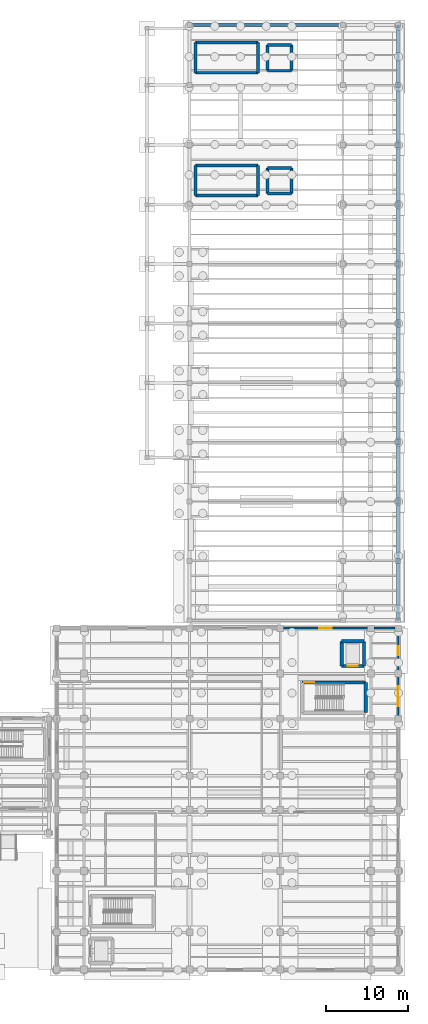
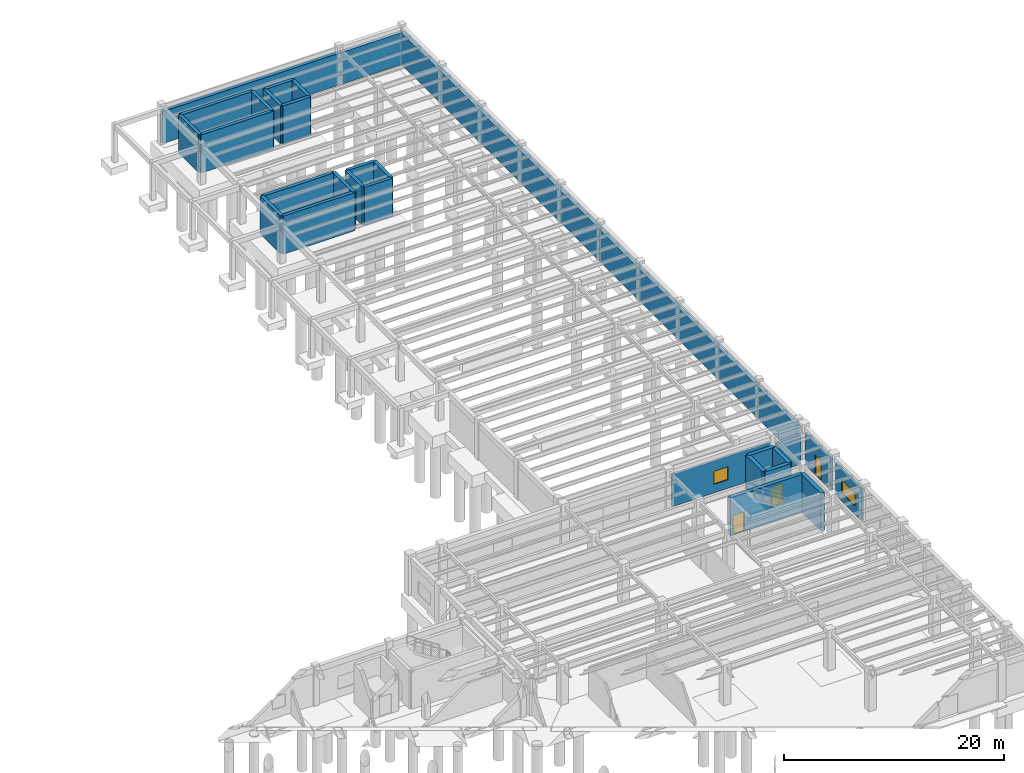
# One storey, part 33 of 41: 29 walls, 3 doors, 2 windows, 5 openings.
"""IFC4 building model written with IfcOpenShell, lengths in metres."""

from ifc_helpers import new_model, si_unit, direction, frame, frame_2d, origin, place, context, subcontext, project, spatial, rectangle, extrude, material, layer, layer_set, type_object, element, fill, save


model = new_model("IFC4")

# Units and contexts
model_context = context("Model", 3, precision=1e-05, world=origin(), true_north=direction((0.0, 1.0)))
body_context = subcontext(model_context, "Body", "Model", "MODEL_VIEW")
ifc_project = project(units=[si_unit("LENGTHUNIT", "METRE"), si_unit("AREAUNIT", "SQUARE_METRE"), si_unit("VOLUMEUNIT", "CUBIC_METRE"), si_unit("PLANEANGLEUNIT", "RADIAN"), si_unit("MASSUNIT", "GRAM", prefix="KILO")], contexts=[model_context])

# Site, building, storey
site_placement = place(None, origin())
site = spatial("IfcSite", under=ifc_project, at=site_placement, CompositionType="ELEMENT")
building_placement = place(site_placement, origin())
building = spatial("IfcBuilding", under=site, at=building_placement, Name="Candilejo Ridge Gondola Terminal", CompositionType="ELEMENT")
storey_placement = place(building_placement, origin())
storey = spatial("IfcBuildingStorey", under=building, at=storey_placement, Name="L00", CompositionType="ELEMENT", Elevation=0.0)

# Wall, opening, window
ifc_material_1 = material(Name="Concrete C20/25 masonry blockwork (f'm 14 MPa)", Category="masonry")
ifc_layer_1 = layer(ifc_material_1, 0.219970703125)
ifc_layer_set_1 = layer_set([ifc_layer_1], Name="ARC-EXT-WALL-220")
wall_type_1 = type_object("IfcWallType", Name="ARC-EXT-WALL-220", PredefinedType="STANDARD", material=ifc_layer_set_1)
wall_1_placement = place(storey_placement, frame((175.300048828125, 41.824951171875, 0.0), z_axis=(0.0, 0.0, 1.0), x_axis=(0.0, -1.0, 0.0)))
wall_1 = element("IfcWall", 1, at=wall_1_placement, inside=storey, type_object=wall_type_1, Name="Exterior facade wall EW-V4-L00-108", PredefinedType="STANDARD", context=body_context, shape_type="SweptSolid", body=[
    extrude(rectangle(XDim=4.75, YDim=0.219970703125, at=frame_2d((2.375, 0.0))), origin(), (0.0, 0.0, 1.0), 3.544921875),
])
opening_1_placement = place(wall_1_placement, frame((1.175048828125, 0.0, 0.8798828125)))
opening_1 = element("IfcOpeningElement", 2, at=opening_1_placement, cuts=wall_1, Name="Opening WN-01", PredefinedType="OPENING", context=body_context, shape_type="SweptSolid", body=[
    extrude(rectangle(XDim=2.39990234375, YDim=1.449951171875, at=frame_2d((1.199951171875, 0.72509765625))), frame((0.0, 0.119873046875, 0.0), z_axis=(0.0, -1.0, 0.0), x_axis=(1.0, 0.0, 0.0)), (0.0, 0.0, 1.0), 0.239990234375),
])
ifc_material_2 = material(Name="Low-E laminated double glazing 6+12A+6+1.52PVB+6 mm", Category="glass")
window_type_1 = type_object("IfcWindowType", Name="ARC-WIN-2400X1650", PartitioningType="SINGLE_PANEL", PredefinedType="WINDOW", material=ifc_material_2)
window_1_placement = place(opening_1_placement, origin())
window_1 = element("IfcWindow", 3, at=window_1_placement, inside=storey, type_object=window_type_1, Name="Window WIN-052", OverallHeight=1.449951171875, OverallWidth=2.39990234375, PartitioningType="SINGLE_PANEL", PredefinedType="WINDOW", context=body_context, shape_type="SweptSolid", body=[
    extrude(rectangle(XDim=2.39990234375, YDim=1.449951171875, at=frame_2d((1.199951171875, 0.72509765625))), frame((0.0, 0.030029296875, 0.0), z_axis=(0.0, -1.0, 0.0), x_axis=(1.0, 0.0, 0.0)), (0.0, 0.0, 1.0), 0.06005859375),
])
fill(opening_1, window_1)

# Wall, opening, door
wall_2_placement = place(storey_placement, frame((175.300048828125, 47.324951171875, 0.0), z_axis=(0.0, 0.0, 1.0), x_axis=(0.0, -1.0, 0.0)))
wall_2 = element("IfcWall", 4, at=wall_2_placement, inside=storey, type_object=wall_type_1, Name="Exterior facade wall EW-V4-L00-110", PredefinedType="STANDARD", context=body_context, shape_type="SweptSolid", body=[
    extrude(rectangle(XDim=4.75, YDim=0.219970703125, at=frame_2d((2.375, 0.0))), origin(), (0.0, 0.0, 1.0), 3.544921875),
])
opening_2_placement = place(wall_2_placement, frame((1.824951171875, 0.0, 0.0)))
opening_2 = element("IfcOpeningElement", 5, at=opening_2_placement, cuts=wall_2, Name="Opening ED-03", PredefinedType="OPENING", context=body_context, shape_type="SweptSolid", body=[
    extrude(rectangle(XDim=1.10009765625, YDim=2.199951171875, at=frame_2d((0.550048828125, 1.10009765625))), frame((0.0, 0.119873046875, 0.0), z_axis=(0.0, -1.0, 0.0), x_axis=(1.0, 0.0, 0.0)), (0.0, 0.0, 1.0), 0.239990234375),
])
ifc_material_3 = material(Name="Anodised aluminium AA 6063-T6", Category="aluminium")
door_type_1 = type_object("IfcDoorType", Name="ARC-DOOR-EXT-SGL-1100", OperationType="NOTDEFINED", PredefinedType="DOOR", material=ifc_material_3)
door_1_placement = place(opening_2_placement, origin())
door_1 = element("IfcDoor", 6, at=door_1_placement, inside=storey, type_object=door_type_1, Name="Exterior door EDR-019", OperationType="SINGLE_SWING_LEFT", OverallHeight=2.199951171875, OverallWidth=1.10009765625, PredefinedType="DOOR", context=body_context, shape_type="SweptSolid", body=[
    extrude(rectangle(XDim=1.10009765625, YDim=2.199951171875, at=frame_2d((0.550048828125, 1.10009765625))), frame((0.0, 0.02490234375, 0.0), z_axis=(0.0, -1.0, 0.0), x_axis=(1.0, 0.0, 0.0)), (0.0, 0.0, 1.0), 0.050048828125),
])
fill(opening_2, door_1)

# Wall, opening, window
ifc_material_4 = material(Name="Cream Guayaquil limestone ashlar masonry (f'm 14 MPa)", Category="masonry")
ifc_layer_2 = layer(ifc_material_4, 0.25)
ifc_layer_set_2 = layer_set([ifc_layer_2], Name="ARC-EXT-WALL-250")
wall_type_2 = type_object("IfcWallType", Name="ARC-EXT-WALL-250", PredefinedType="STANDARD", material=ifc_layer_set_2)
wall_3_placement = place(storey_placement, frame((161.375, 47.699951171875, 0.0), z_axis=(0.0, 0.0, 1.0), x_axis=(1.0, 0.0, 0.0)))
wall_3 = element("IfcWall", 7, at=wall_3_placement, inside=storey, type_object=wall_type_2, Name="Exterior facade wall EW-V4-L00-096", PredefinedType="STANDARD", context=body_context, shape_type="SweptSolid", body=[
    extrude(rectangle(XDim=10.25, YDim=0.25, at=frame_2d((5.125, 0.0))), origin(), (0.0, 0.0, 1.0), 3.544921875),
])
opening_3_placement = place(wall_3_placement, frame((4.375, 0.0, 0.949951171875)))
opening_3 = element("IfcOpeningElement", 8, at=opening_3_placement, cuts=wall_3, Name="Opening WN-03", PredefinedType="OPENING", context=body_context, shape_type="SweptSolid", body=[
    extrude(rectangle(XDim=1.5, YDim=1.449951171875, at=frame_2d((0.75, 0.72509765625))), frame((0.0, 0.135009765625, 0.0), z_axis=(0.0, -1.0, 0.0), x_axis=(1.0, 0.0, 0.0)), (0.0, 0.0, 1.0), 0.27001953125),
])
ifc_material_5 = material(Name="Low-E laminated double glazing 6+12A+6+1.52PVB+6 mm", Category="glass")
window_type_2 = type_object("IfcWindowType", Name="ARC-WIN-1500X1450", PartitioningType="SINGLE_PANEL", PredefinedType="WINDOW", material=ifc_material_5)
window_2_placement = place(opening_3_placement, origin())
window_2 = element("IfcWindow", 9, at=window_2_placement, inside=storey, type_object=window_type_2, Name="Window WIN-046", OverallHeight=1.449951171875, OverallWidth=1.5, PartitioningType="SINGLE_PANEL", PredefinedType="WINDOW", context=body_context, shape_type="SweptSolid", body=[
    extrude(rectangle(XDim=1.5, YDim=1.449951171875, at=frame_2d((0.75, 0.72509765625))), frame((0.0, 0.030029296875, 0.0), z_axis=(0.0, -1.0, 0.0), x_axis=(1.0, 0.0, 0.0)), (0.0, 0.0, 1.0), 0.06005859375),
])
fill(opening_3, window_2)

# Wall
wall_4_placement = place(storey_placement, frame((172.375, 47.699951171875, 0.0), z_axis=(0.0, 0.0, 1.0), x_axis=(1.0, 0.0, 0.0)))
element("IfcWall", 10, at=wall_4_placement, inside=storey, type_object=wall_type_2, Name="Exterior facade wall EW-V4-L00-098", PredefinedType="STANDARD", context=body_context, shape_type="SweptSolid", body=[
    extrude(rectangle(XDim=2.550048828125, YDim=0.25, at=frame_2d((1.27490234375, 0.0))), origin(), (0.0, 0.0, 1.0), 3.195068359375),
])

# Wall, opening, door
ifc_material_6 = material(Name="Concrete f'c 35 MPa (C35/45)", Category="concrete")
ifc_layer_3 = layer(ifc_material_6, 0.39990234375)
ifc_layer_set_3 = layer_set([ifc_layer_3], Name="STR-CORE-WALL-400")
wall_type_3 = type_object("IfcWallType", Name="STR-CORE-WALL-400", PredefinedType="SHEAR", material=ifc_layer_set_3)
wall_5_placement = place(storey_placement, frame((163.64990234375, 41.10009765625, 0.0), z_axis=(0.0, 0.0, 1.0), x_axis=(1.0, 0.0, 0.0)))
wall_5 = element("IfcWall", 11, at=wall_5_placement, inside=storey, type_object=wall_type_3, Name="Core stair shear wall SW-C-V4B-L00-ST-N", PredefinedType="SHEAR", context=body_context, shape_type="SweptSolid", body=[
    extrude(rectangle(XDim=7.7001953125, YDim=0.39990234375, at=frame_2d((3.85009765625, 0.0))), origin(), (0.0, 0.0, 1.0), 4.215087890625),
])
opening_4_placement = place(wall_5_placement, frame((0.280029296875, 0.0, 0.0)))
opening_4 = element("IfcOpeningElement", 12, at=opening_4_placement, cuts=wall_5, Name="Opening FD-01", PredefinedType="OPENING", context=body_context, shape_type="SweptSolid", body=[
    extrude(rectangle(XDim=1.199951171875, YDim=2.199951171875, at=frame_2d((0.60009765625, 1.10009765625))), frame((0.0, 0.2099609375, 0.0), z_axis=(0.0, -1.0, 0.0), x_axis=(1.0, 0.0, 0.0)), (0.0, 0.0, 1.0), 0.419921875),
])
ifc_material_7 = material(Name="Steel ASTM A653 Grade 33 hollow-metal door", Category="steel")
door_type_2 = type_object("IfcDoorType", Name="ARC-DOOR-FD90-1200", OperationType="NOTDEFINED", PredefinedType="DOOR", material=ifc_material_7)
door_2_placement = place(opening_4_placement, origin())
door_2 = element("IfcDoor", 13, at=door_2_placement, inside=storey, type_object=door_type_2, Name="Fire stair door SDR-029", OperationType="SINGLE_SWING_LEFT", OverallHeight=2.199951171875, OverallWidth=1.199951171875, PredefinedType="DOOR", context=body_context, shape_type="SweptSolid", body=[
    extrude(rectangle(XDim=1.199951171875, YDim=2.199951171875, at=frame_2d((0.60009765625, 1.10009765625))), frame((0.0, 0.02490234375, 0.0), z_axis=(0.0, -1.0, 0.0), x_axis=(1.0, 0.0, 0.0)), (0.0, 0.0, 1.0), 0.050048828125),
])
fill(opening_4, door_2)

# Wall
wall_6_placement = place(storey_placement, frame((171.35009765625, 41.10009765625, 0.0), z_axis=(0.0, 0.0, 1.0), x_axis=(0.0, -1.0, 0.0)))
element("IfcWall", 14, at=wall_6_placement, inside=storey, type_object=wall_type_3, Name="Core stair shear wall SW-C-V4B-L00-ST-E", PredefinedType="SHEAR", context=body_context, shape_type="SweptSolid", body=[
    extrude(rectangle(XDim=3.650146484375, YDim=0.39990234375, at=frame_2d((1.8251953125, 0.0))), origin(), (0.0, 0.0, 1.0), 4.215087890625),
])

# Wall, opening, door
wall_7_placement = place(storey_placement, frame((168.449951171875, 43.10009765625, 0.0), z_axis=(0.0, 0.0, 1.0), x_axis=(1.0, 0.0, 0.0)))
wall_7 = element("IfcWall", 15, at=wall_7_placement, inside=storey, type_object=wall_type_3, Name="Lift shaft shear wall SW-C-V4B-L00-LF-S", PredefinedType="SHEAR", context=body_context, shape_type="SweptSolid", body=[
    extrude(rectangle(XDim=2.699951171875, YDim=0.39990234375, at=frame_2d((1.35009765625, 0.0))), origin(), (0.0, 0.0, 1.0), 4.215087890625),
])
opening_5_placement = place(wall_7_placement, frame((0.72509765625, 0.0, 0.0)))
opening_5 = element("IfcOpeningElement", 16, at=opening_5_placement, cuts=wall_7, Name="Opening LD-01B", PredefinedType="OPENING", context=body_context, shape_type="SweptSolid", body=[
    extrude(rectangle(XDim=1.25, YDim=2.199951171875, at=frame_2d((0.625, 1.10009765625))), frame((0.0, 0.2099609375, 0.0), z_axis=(0.0, -1.0, 0.0), x_axis=(1.0, 0.0, 0.0)), (0.0, 0.0, 1.0), 0.419921875),
])
ifc_material_8 = material(Name="Brushed stainless steel AISI 316", Category="steel")
door_type_3 = type_object("IfcDoorType", Name="ARC-LIFT-DOOR-1250", OperationType="NOTDEFINED", PredefinedType="DOOR", material=ifc_material_8)
door_3_placement = place(opening_5_placement, origin())
door_3 = element("IfcDoor", 17, at=door_3_placement, inside=storey, type_object=door_type_3, Name="Elevator landing door LDR-029", OperationType="SLIDING_TO_LEFT", OverallHeight=2.199951171875, OverallWidth=1.25, PredefinedType="DOOR", context=body_context, shape_type="SweptSolid", body=[
    extrude(rectangle(XDim=1.25, YDim=2.199951171875, at=frame_2d((0.625, 1.10009765625))), frame((0.0, 0.02490234375, 0.0), z_axis=(0.0, -1.0, 0.0), x_axis=(1.0, 0.0, 0.0)), (0.0, 0.0, 1.0), 0.050048828125),
])
fill(opening_5, door_3)

# Walls
wall_8_placement = place(storey_placement, frame((168.449951171875, 46.10009765625, 0.0), z_axis=(0.0, 0.0, 1.0), x_axis=(1.0, 0.0, 0.0)))
element("IfcWall", 18, at=wall_8_placement, inside=storey, type_object=wall_type_3, Name="Lift shaft shear wall SW-C-V4B-L00-LF-N", PredefinedType="SHEAR", context=body_context, shape_type="SweptSolid", body=[
    extrude(rectangle(XDim=2.699951171875, YDim=0.39990234375, at=frame_2d((1.35009765625, 0.0))), origin(), (0.0, 0.0, 1.0), 4.215087890625),
])
for number, where, z_axis, x_axis, name in (
    (19, (168.449951171875, 43.10009765625, 0.0), (0.0, 0.0, 1.0), (0.0, 1.0, 0.0), "Lift shaft shear wall SW-C-V4B-L00-LF-W"),
    (20, (171.14990234375, 43.10009765625, 0.0), (0.0, 0.0, 1.0), (0.0, 1.0, 0.0), "Lift shaft shear wall SW-C-V4B-L00-LF-E"),
):
    element("IfcWall", number, at=place(storey_placement, frame(where, z_axis=z_axis, x_axis=x_axis)), inside=storey, type_object=wall_type_3, Name=name, PredefinedType="SHEAR", context=body_context, shape_type="SweptSolid", body=[
        extrude(rectangle(XDim=3.0, YDim=0.39990234375, at=frame_2d((1.5, 0.0))), origin(), (0.0, 0.0, 1.0), 4.215087890625),
    ])
ifc_material_9 = material(Name="Concrete f'c 35 MPa (C35/45)", Category="concrete")
ifc_layer_4 = layer(ifc_material_9, 0.35009765625)
ifc_layer_set_4 = layer_set([ifc_layer_4], Name="STR-RET-WALL-350")
wall_type_4 = type_object("IfcWallType", Name="STR-RET-WALL-350", PredefinedType="USERDEFINED", material=ifc_layer_set_4)
wall_9_placement = place(storey_placement, frame((150.0, 120.85009765625, 0.0), z_axis=(0.0, 0.0, 1.0), x_axis=(1.0, 0.0, 0.0)))
element("IfcWall", 21, at=wall_9_placement, inside=storey, type_object=wall_type_4, Name="Hillside concrete retaining plinth wall N", ObjectType="RETAININGWALL", PredefinedType="USERDEFINED", context=body_context, shape_type="SweptSolid", body=[
    extrude(rectangle(XDim=25.300048828125, YDim=0.35009765625, at=frame_2d((12.64990234375, 0.0))), origin(), (0.0, 0.0, 1.0), 3.550048828125),
])
wall_10_placement = place(storey_placement, frame((175.300048828125, 120.85009765625, 0.0), z_axis=(0.0, 0.0, 1.0), x_axis=(0.0, -1.0, 0.0)))
element("IfcWall", 22, at=wall_10_placement, inside=storey, type_object=wall_type_4, Name="Hillside concrete retaining plinth wall E1", ObjectType="RETAININGWALL", PredefinedType="USERDEFINED", context=body_context, shape_type="SweptSolid", body=[
    extrude(rectangle(XDim=36.2001953125, YDim=0.35009765625, at=frame_2d((18.10009765625, 0.0))), origin(), (0.0, 0.0, 1.0), 3.550048828125),
])
wall_11_placement = place(storey_placement, frame((175.300048828125, 84.64990234375, 0.0), z_axis=(0.0, 0.0, 1.0), x_axis=(0.0, -1.0, 0.0)))
element("IfcWall", 23, at=wall_11_placement, inside=storey, type_object=wall_type_4, Name="Hillside concrete retaining plinth wall E2", ObjectType="RETAININGWALL", PredefinedType="USERDEFINED", context=body_context, shape_type="SweptSolid", body=[
    extrude(rectangle(XDim=36.0, YDim=0.35009765625, at=frame_2d((18.0, 0.0))), origin(), (0.0, 0.0, 1.0), 3.550048828125),
])
for number, where, z_axis, x_axis, name in (
    (24, (150.699951171875, 100.14990234375, 0.0), (0.0, 0.0, 1.0), (1.0, 0.0, 0.0), "Core plinth shear wall C-V5A L00-S"),
    (25, (150.699951171875, 103.800048828125, 0.0), (0.0, 0.0, 1.0), (1.0, 0.0, 0.0), "Core plinth shear wall C-V5A L00-N"),
):
    element("IfcWall", number, at=place(storey_placement, frame(where, z_axis=z_axis, x_axis=x_axis)), inside=storey, type_object=wall_type_4, Name=name, ObjectType="RETAININGWALL", PredefinedType="USERDEFINED", context=body_context, shape_type="SweptSolid", body=[
        extrude(rectangle(XDim=7.60009765625, YDim=0.35009765625, at=frame_2d((3.800048828125, 0.0))), origin(), (0.0, 0.0, 1.0), 4.22998046875),
    ])
for number, where, z_axis, x_axis, name in (
    (26, (150.699951171875, 100.14990234375, 0.0), (0.0, 0.0, 1.0), (0.0, 1.0, 0.0), "Core plinth shear wall C-V5A L00-W"),
    (27, (158.300048828125, 100.14990234375, 0.0), (0.0, 0.0, 1.0), (0.0, 1.0, 0.0), "Core plinth shear wall C-V5A L00-E"),
):
    element("IfcWall", number, at=place(storey_placement, frame(where, z_axis=z_axis, x_axis=x_axis)), inside=storey, type_object=wall_type_4, Name=name, ObjectType="RETAININGWALL", PredefinedType="USERDEFINED", context=body_context, shape_type="SweptSolid", body=[
        extrude(rectangle(XDim=3.650146484375, YDim=0.35009765625, at=frame_2d((1.8251953125, 0.0))), origin(), (0.0, 0.0, 1.0), 4.22998046875),
    ])
for number, where, z_axis, x_axis, name in (
    (28, (159.449951171875, 100.39990234375, 0.0), (0.0, 0.0, 1.0), (1.0, 0.0, 0.0), "Core plinth shear wall C-V5A L00-LS"),
    (29, (159.449951171875, 103.5, 0.0), (0.0, 0.0, 1.0), (1.0, 0.0, 0.0), "Core plinth shear wall C-V5A L00-LN"),
):
    element("IfcWall", number, at=place(storey_placement, frame(where, z_axis=z_axis, x_axis=x_axis)), inside=storey, type_object=wall_type_4, Name=name, ObjectType="RETAININGWALL", PredefinedType="USERDEFINED", context=body_context, shape_type="SweptSolid", body=[
        extrude(rectangle(XDim=2.900146484375, YDim=0.35009765625, at=frame_2d((1.4501953125, 0.0))), origin(), (0.0, 0.0, 1.0), 4.22998046875),
    ])
for number, where, z_axis, x_axis, name in (
    (30, (159.449951171875, 100.39990234375, 0.0), (0.0, 0.0, 1.0), (0.0, 1.0, 0.0), "Core plinth shear wall C-V5A L00-LW"),
    (31, (162.35009765625, 100.39990234375, 0.0), (0.0, 0.0, 1.0), (0.0, 1.0, 0.0), "Core plinth shear wall C-V5A L00-LE"),
):
    element("IfcWall", number, at=place(storey_placement, frame(where, z_axis=z_axis, x_axis=x_axis)), inside=storey, type_object=wall_type_4, Name=name, ObjectType="RETAININGWALL", PredefinedType="USERDEFINED", context=body_context, shape_type="SweptSolid", body=[
        extrude(rectangle(XDim=3.10009765625, YDim=0.35009765625, at=frame_2d((1.550048828125, 0.0))), origin(), (0.0, 0.0, 1.0), 4.22998046875),
    ])
for number, where, z_axis, x_axis, name in (
    (32, (150.699951171875, 115.050048828125, 0.0), (0.0, 0.0, 1.0), (1.0, 0.0, 0.0), "Core plinth shear wall C-V5B L00-S"),
    (33, (150.699951171875, 118.699951171875, 0.0), (0.0, 0.0, 1.0), (1.0, 0.0, 0.0), "Core plinth shear wall C-V5B L00-N"),
):
    element("IfcWall", number, at=place(storey_placement, frame(where, z_axis=z_axis, x_axis=x_axis)), inside=storey, type_object=wall_type_4, Name=name, ObjectType="RETAININGWALL", PredefinedType="USERDEFINED", context=body_context, shape_type="SweptSolid", body=[
        extrude(rectangle(XDim=7.60009765625, YDim=0.35009765625, at=frame_2d((3.800048828125, 0.0))), origin(), (0.0, 0.0, 1.0), 4.22998046875),
    ])
for number, where, z_axis, x_axis, name in (
    (34, (150.699951171875, 115.050048828125, 0.0), (0.0, 0.0, 1.0), (0.0, 1.0, 0.0), "Core plinth shear wall C-V5B L00-W"),
    (35, (158.300048828125, 115.050048828125, 0.0), (0.0, 0.0, 1.0), (0.0, 1.0, 0.0), "Core plinth shear wall C-V5B L00-E"),
):
    element("IfcWall", number, at=place(storey_placement, frame(where, z_axis=z_axis, x_axis=x_axis)), inside=storey, type_object=wall_type_4, Name=name, ObjectType="RETAININGWALL", PredefinedType="USERDEFINED", context=body_context, shape_type="SweptSolid", body=[
        extrude(rectangle(XDim=3.64990234375, YDim=0.35009765625, at=frame_2d((1.824951171875, 0.0))), origin(), (0.0, 0.0, 1.0), 4.22998046875),
    ])
for number, where, z_axis, x_axis, name in (
    (36, (159.449951171875, 115.300048828125, 0.0), (0.0, 0.0, 1.0), (1.0, 0.0, 0.0), "Core plinth shear wall C-V5B L00-LS"),
    (37, (159.449951171875, 118.39990234375, 0.0), (0.0, 0.0, 1.0), (1.0, 0.0, 0.0), "Core plinth shear wall C-V5B L00-LN"),
):
    element("IfcWall", number, at=place(storey_placement, frame(where, z_axis=z_axis, x_axis=x_axis)), inside=storey, type_object=wall_type_4, Name=name, ObjectType="RETAININGWALL", PredefinedType="USERDEFINED", context=body_context, shape_type="SweptSolid", body=[
        extrude(rectangle(XDim=2.900146484375, YDim=0.35009765625, at=frame_2d((1.4501953125, 0.0))), origin(), (0.0, 0.0, 1.0), 4.22998046875),
    ])
for number, where, z_axis, x_axis, name in (
    (38, (159.449951171875, 115.300048828125, 0.0), (0.0, 0.0, 1.0), (0.0, 1.0, 0.0), "Core plinth shear wall C-V5B L00-LW"),
    (39, (162.35009765625, 115.300048828125, 0.0), (0.0, 0.0, 1.0), (0.0, 1.0, 0.0), "Core plinth shear wall C-V5B L00-LE"),
):
    element("IfcWall", number, at=place(storey_placement, frame(where, z_axis=z_axis, x_axis=x_axis)), inside=storey, type_object=wall_type_4, Name=name, ObjectType="RETAININGWALL", PredefinedType="USERDEFINED", context=body_context, shape_type="SweptSolid", body=[
        extrude(rectangle(XDim=3.099853515625, YDim=0.35009765625, at=frame_2d((1.5498046875, 0.0))), origin(), (0.0, 0.0, 1.0), 4.22998046875),
    ])

save(model, "model.ifc")
